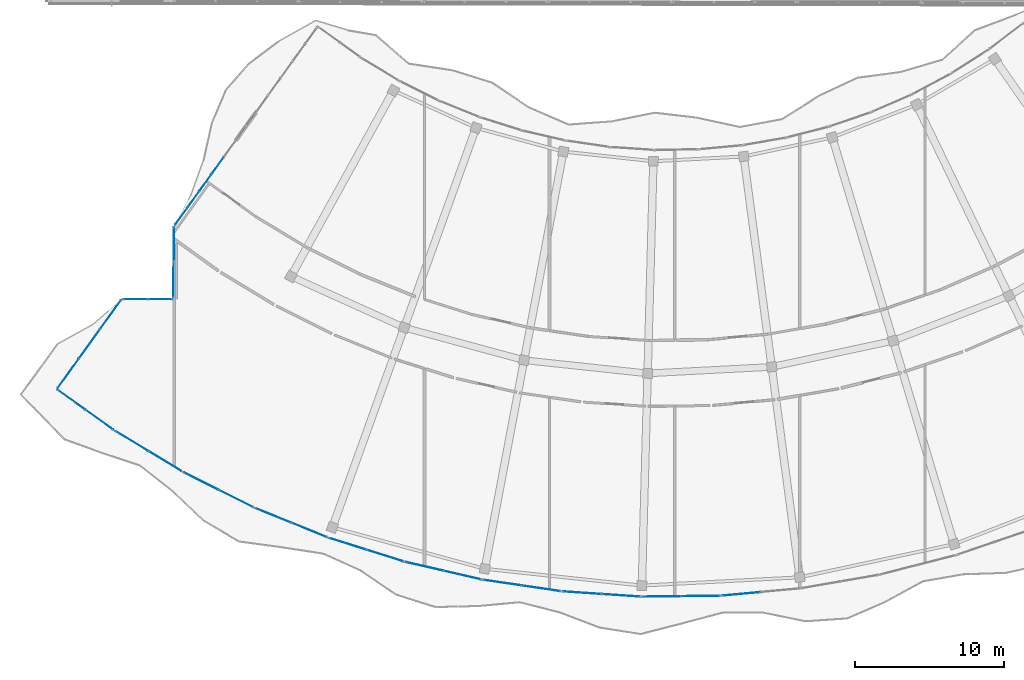
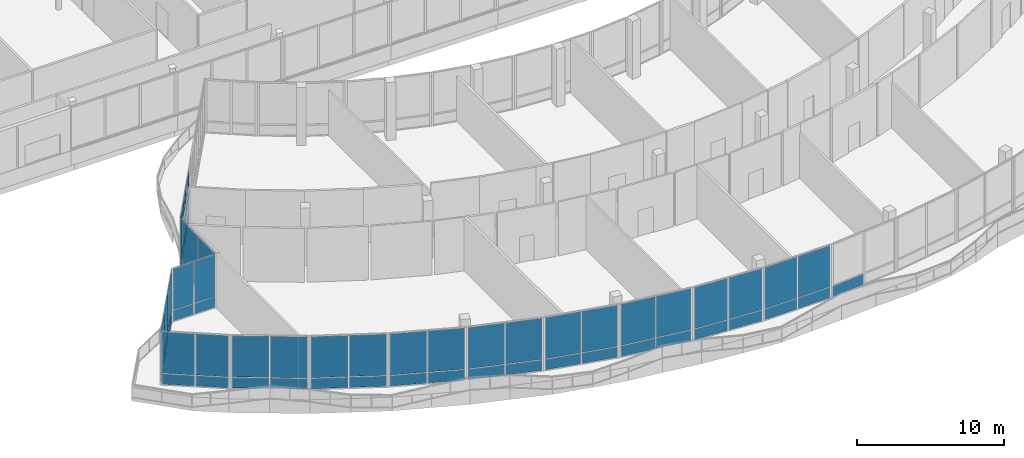
# One storey, part 114 of 155: 63 plates, 14 elements without a shape of their own.
"""IFC4 building model written with IfcOpenShell, lengths in metres."""

from ifc_helpers import new_model, si_unit, direction, frame, origin, origin_2d, place, context, subcontext, project, spatial, rectangle, extrude, material, layer, layer_set, type_object, element, aggregate, save


model = new_model("IFC4")

# Units and contexts
model_context = context("Model", 3, precision=1e-05, world=origin(), true_north=direction((0.0, 1.0)))
body_context = subcontext(model_context, "Body", "Model", "MODEL_VIEW")
ifc_project = project(units=[si_unit("LENGTHUNIT", "METRE"), si_unit("AREAUNIT", "SQUARE_METRE"), si_unit("VOLUMEUNIT", "CUBIC_METRE"), si_unit("PLANEANGLEUNIT", "RADIAN"), si_unit("MASSUNIT", "GRAM", prefix="KILO")], contexts=[model_context])

# Site, building, storey
site_placement = place(None, origin())
site = spatial("IfcSite", under=ifc_project, at=site_placement, CompositionType="ELEMENT")
building_placement = place(site_placement, origin())
building = spatial("IfcBuilding", under=site, at=building_placement, Name="Selatvlak General Hospital", CompositionType="ELEMENT")
storey_placement = place(building_placement, frame((0.0, 0.0, 10.199951171875)))
storey = spatial("IfcBuildingStorey", under=building, at=storey_placement, Name="L02", CompositionType="ELEMENT", Elevation=10.199951171875)

# Curtain wall, plate
ifc_material = material(Name="Solar-control Low-E double glazing", Category="glass")
curtain_wall_type_1 = type_object("IfcCurtainWallType", Name="CW-CW-01", PredefinedType="USERDEFINED", material=ifc_material)
curtain_wall_1_placement = place(storey_placement, origin())
curtain_wall_1 = element("IfcCurtainWall", 1, at=curtain_wall_1_placement, inside=storey, type_object=curtain_wall_type_1, Name="Glazed facade curtain wall CW-L02-0305", ObjectType="UNITISED CURTAIN WALL", PredefinedType="USERDEFINED")
ifc_layer = layer(ifc_material, 0.028076171875, Name="Solar-control Low-E double glazing", Category="glass")
ifc_layer_set = layer_set([ifc_layer], Name="Solar-control Low-E double glazing")
plate_type = type_object("IfcPlateType", Name="CWP-01", PredefinedType="CURTAIN_PANEL", material=ifc_layer_set)
plate_1_placement = place(storey_placement, frame((60.891357421875, 12.217529296875, 0.06494140625), z_axis=(0.0, 0.0, 1.0), x_axis=(-0.995731988381, -0.092291967773, 0.0)))
plate_1 = element("IfcPlate", 2, at=plate_1_placement, type_object=plate_type, Name="CW-01 panel 2.1", PredefinedType="CURTAIN_PANEL", context=body_context, shape_type="SweptSolid", body=[
    extrude(rectangle(XDim=2.54638671875, YDim=0.028076171875, at=origin_2d()), origin(), (0.0, 0.0, 1.0), 0.8525390625),
])
aggregate(curtain_wall_1, [plate_1])

# Curtain wall, plates
curtain_wall_type_2 = type_object("IfcCurtainWallType", Name="CW-CW-02", PredefinedType="USERDEFINED", material=ifc_material)
curtain_wall_2_placement = place(storey_placement, origin())
curtain_wall_2 = element("IfcCurtainWall", 3, at=curtain_wall_2_placement, inside=storey, type_object=curtain_wall_type_2, Name="Glazed facade curtain wall CW-L02-0306", ObjectType="UNITISED CURTAIN WALL", PredefinedType="USERDEFINED")
plate_2_placement = place(storey_placement, frame((58.14111328125, 12.074951171875, 0.06494140625), z_axis=(0.0, 0.0, 1.0), x_axis=(-0.999919712362, -0.012671575694, 0.0)))
plate_2 = element("IfcPlate", 4, at=plate_2_placement, type_object=plate_type, Name="CW-02 panel 1.1", PredefinedType="CURTAIN_PANEL", context=body_context, shape_type="SweptSolid", body=[
    extrude(rectangle(XDim=2.546142578125, YDim=0.028076171875, at=origin_2d()), origin(), (0.0, 0.0, 1.0), 0.8525390625),
])
plate_3_placement = place(storey_placement, frame((58.14111328125, 12.074951171875, 0.982421875), z_axis=(0.0, 0.0, 1.0), x_axis=(-0.999919712362, -0.012671575694, 0.0)))
plate_3 = element("IfcPlate", 5, at=plate_3_placement, type_object=plate_type, Name="CW-02 panel 1.2", PredefinedType="CURTAIN_PANEL", context=body_context, shape_type="SweptSolid", body=[
    extrude(rectangle(XDim=2.546142578125, YDim=0.028076171875, at=origin_2d()), origin(), (0.0, 0.0, 1.0), 3.41259765625),
])
plate_4_placement = place(storey_placement, frame((55.530029296875, 12.0419921875, 0.06494140625), z_axis=(0.0, 0.0, 1.0), x_axis=(-0.999919712362, -0.012671575694, 0.0)))
plate_4 = element("IfcPlate", 6, at=plate_4_placement, type_object=plate_type, Name="CW-02 panel 2.1", PredefinedType="CURTAIN_PANEL", context=body_context, shape_type="SweptSolid", body=[
    extrude(rectangle(XDim=2.546142578125, YDim=0.028076171875, at=origin_2d()), origin(), (0.0, 0.0, 1.0), 0.8525390625),
])
plate_5_placement = place(storey_placement, frame((55.530029296875, 12.0419921875, 0.982421875), z_axis=(0.0, 0.0, 1.0), x_axis=(-0.999919712362, -0.012671575694, 0.0)))
plate_5 = element("IfcPlate", 7, at=plate_5_placement, type_object=plate_type, Name="CW-02 panel 2.2", PredefinedType="CURTAIN_PANEL", context=body_context, shape_type="SweptSolid", body=[
    extrude(rectangle(XDim=2.546142578125, YDim=0.028076171875, at=origin_2d()), origin(), (0.0, 0.0, 1.0), 3.41259765625),
])
aggregate(curtain_wall_2, [plate_2, plate_3, plate_4, plate_5])

curtain_wall_3_placement = place(storey_placement, origin())
curtain_wall_3 = element("IfcCurtainWall", 8, at=curtain_wall_3_placement, inside=storey, type_object=curtain_wall_type_1, Name="Glazed facade curtain wall CW-L02-0307", ObjectType="UNITISED CURTAIN WALL", PredefinedType="USERDEFINED")
plate_6_placement = place(storey_placement, frame((52.77734375, 12.118408203125, 0.06494140625), z_axis=(0.0, 0.0, 1.0), x_axis=(-0.997767543774, 0.066782696801, 0.0)))
plate_6 = element("IfcPlate", 9, at=plate_6_placement, type_object=plate_type, Name="CW-01 panel 1.1", PredefinedType="CURTAIN_PANEL", context=body_context, shape_type="SweptSolid", body=[
    extrude(rectangle(XDim=2.54541015625, YDim=0.028076171875, at=origin_2d()), origin(), (0.0, 0.0, 1.0), 0.8525390625),
])
plate_7_placement = place(storey_placement, frame((52.77734375, 12.118408203125, 0.982421875), z_axis=(0.0, 0.0, 1.0), x_axis=(-0.997767543774, 0.066782696801, 0.0)))
plate_7 = element("IfcPlate", 10, at=plate_7_placement, type_object=plate_type, Name="CW-01 panel 1.2", PredefinedType="CURTAIN_PANEL", context=body_context, shape_type="SweptSolid", body=[
    extrude(rectangle(XDim=2.54541015625, YDim=0.028076171875, at=origin_2d()), origin(), (0.0, 0.0, 1.0), 3.41259765625),
])
plate_8_placement = place(storey_placement, frame((50.172607421875, 12.292724609375, 0.06494140625), z_axis=(0.0, 0.0, 1.0), x_axis=(-0.997767543774, 0.066782696801, 0.0)))
plate_8 = element("IfcPlate", 11, at=plate_8_placement, type_object=plate_type, Name="CW-01 panel 2.1", PredefinedType="CURTAIN_PANEL", context=body_context, shape_type="SweptSolid", body=[
    extrude(rectangle(XDim=2.54541015625, YDim=0.028076171875, at=origin_2d()), origin(), (0.0, 0.0, 1.0), 0.8525390625),
])
plate_9_placement = place(storey_placement, frame((50.172607421875, 12.292724609375, 0.982421875), z_axis=(0.0, 0.0, 1.0), x_axis=(-0.997767543774, 0.066782696801, 0.0)))
plate_9 = element("IfcPlate", 12, at=plate_9_placement, type_object=plate_type, Name="CW-01 panel 2.2", PredefinedType="CURTAIN_PANEL", context=body_context, shape_type="SweptSolid", body=[
    extrude(rectangle(XDim=2.54541015625, YDim=0.028076171875, at=origin_2d()), origin(), (0.0, 0.0, 1.0), 3.41259765625),
])
aggregate(curtain_wall_3, [plate_6, plate_7, plate_8, plate_9])

curtain_wall_4_placement = place(storey_placement, origin())
curtain_wall_4 = element("IfcCurtainWall", 13, at=curtain_wall_4_placement, inside=storey, type_object=curtain_wall_type_2, Name="Glazed facade curtain wall CW-L02-0308", ObjectType="UNITISED CURTAIN WALL", PredefinedType="USERDEFINED")
plate_10_placement = place(storey_placement, frame((47.435302734375, 12.587158203125, 0.06494140625), z_axis=(0.0, 0.0, 1.0), x_axis=(-0.989307819732, 0.145842510319, 0.0)))
plate_10 = element("IfcPlate", 14, at=plate_10_placement, type_object=plate_type, Name="CW-02 panel 1.1", PredefinedType="CURTAIN_PANEL", context=body_context, shape_type="SweptSolid", body=[
    extrude(rectangle(XDim=2.545654296875, YDim=0.028076171875, at=origin_2d()), origin(), (0.0, 0.0, 1.0), 0.8525390625),
])
plate_11_placement = place(storey_placement, frame((47.435302734375, 12.587158203125, 0.982421875), z_axis=(0.0, 0.0, 1.0), x_axis=(-0.989307819732, 0.145842510319, 0.0)))
plate_11 = element("IfcPlate", 15, at=plate_11_placement, type_object=plate_type, Name="CW-02 panel 1.2", PredefinedType="CURTAIN_PANEL", context=body_context, shape_type="SweptSolid", body=[
    extrude(rectangle(XDim=2.545654296875, YDim=0.028076171875, at=origin_2d()), origin(), (0.0, 0.0, 1.0), 3.41259765625),
])
plate_12_placement = place(storey_placement, frame((44.8525390625, 12.9677734375, 0.06494140625), z_axis=(0.0, 0.0, 1.0), x_axis=(-0.989307819732, 0.145842510319, 0.0)))
plate_12 = element("IfcPlate", 16, at=plate_12_placement, type_object=plate_type, Name="CW-02 panel 2.1", PredefinedType="CURTAIN_PANEL", context=body_context, shape_type="SweptSolid", body=[
    extrude(rectangle(XDim=2.545654296875, YDim=0.028076171875, at=origin_2d()), origin(), (0.0, 0.0, 1.0), 0.8525390625),
])
plate_13_placement = place(storey_placement, frame((44.8525390625, 12.9677734375, 0.982421875), z_axis=(0.0, 0.0, 1.0), x_axis=(-0.989307819732, 0.145842510319, 0.0)))
plate_13 = element("IfcPlate", 17, at=plate_13_placement, type_object=plate_type, Name="CW-02 panel 2.2", PredefinedType="CURTAIN_PANEL", context=body_context, shape_type="SweptSolid", body=[
    extrude(rectangle(XDim=2.545654296875, YDim=0.028076171875, at=origin_2d()), origin(), (0.0, 0.0, 1.0), 3.41259765625),
])
aggregate(curtain_wall_4, [plate_10, plate_11, plate_12, plate_13])

curtain_wall_5_placement = place(storey_placement, origin())
curtain_wall_5 = element("IfcCurtainWall", 18, at=curtain_wall_5_placement, inside=storey, type_object=curtain_wall_type_1, Name="Glazed facade curtain wall CW-L02-0309", ObjectType="UNITISED CURTAIN WALL", PredefinedType="USERDEFINED")
plate_14_placement = place(storey_placement, frame((42.146240234375, 13.47900390625, 0.06494140625), z_axis=(0.0, 0.0, 1.0), x_axis=(-0.974553533749, 0.224154879176, 0.0)))
plate_14 = element("IfcPlate", 19, at=plate_14_placement, type_object=plate_type, Name="CW-01 panel 1.1", PredefinedType="CURTAIN_PANEL", context=body_context, shape_type="SweptSolid", body=[
    extrude(rectangle(XDim=2.545654296875, YDim=0.028076171875, at=origin_2d()), origin(), (0.0, 0.0, 1.0), 0.8525390625),
])
plate_15_placement = place(storey_placement, frame((42.146240234375, 13.47900390625, 0.982421875), z_axis=(0.0, 0.0, 1.0), x_axis=(-0.974553533749, 0.224154879176, 0.0)))
plate_15 = element("IfcPlate", 20, at=plate_15_placement, type_object=plate_type, Name="CW-01 panel 1.2", PredefinedType="CURTAIN_PANEL", context=body_context, shape_type="SweptSolid", body=[
    extrude(rectangle(XDim=2.545654296875, YDim=0.028076171875, at=origin_2d()), origin(), (0.0, 0.0, 1.0), 3.41259765625),
])
plate_16_placement = place(storey_placement, frame((39.601806640625, 14.064208984375, 0.06494140625), z_axis=(0.0, 0.0, 1.0), x_axis=(-0.974553533749, 0.224154879176, 0.0)))
plate_16 = element("IfcPlate", 21, at=plate_16_placement, type_object=plate_type, Name="CW-01 panel 2.1", PredefinedType="CURTAIN_PANEL", context=body_context, shape_type="SweptSolid", body=[
    extrude(rectangle(XDim=2.545654296875, YDim=0.028076171875, at=origin_2d()), origin(), (0.0, 0.0, 1.0), 0.8525390625),
])
plate_17_placement = place(storey_placement, frame((39.601806640625, 14.064208984375, 0.982421875), z_axis=(0.0, 0.0, 1.0), x_axis=(-0.974553533749, 0.224154879176, 0.0)))
plate_17 = element("IfcPlate", 22, at=plate_17_placement, type_object=plate_type, Name="CW-01 panel 2.2", PredefinedType="CURTAIN_PANEL", context=body_context, shape_type="SweptSolid", body=[
    extrude(rectangle(XDim=2.545654296875, YDim=0.028076171875, at=origin_2d()), origin(), (0.0, 0.0, 1.0), 3.41259765625),
])
aggregate(curtain_wall_5, [plate_14, plate_15, plate_16, plate_17])

curtain_wall_6_placement = place(storey_placement, origin())
curtain_wall_6 = element("IfcCurtainWall", 23, at=curtain_wall_6_placement, inside=storey, type_object=curtain_wall_type_2, Name="Glazed facade curtain wall CW-L02-0310", ObjectType="UNITISED CURTAIN WALL", PredefinedType="USERDEFINED")
plate_18_placement = place(storey_placement, frame((36.9453125, 14.788818359375, 0.06494140625), z_axis=(0.0, 0.0, 1.0), x_axis=(-0.953794036858, 0.30046120424, 0.0)))
plate_18 = element("IfcPlate", 24, at=plate_18_placement, type_object=plate_type, Name="CW-02 panel 1.1", PredefinedType="CURTAIN_PANEL", context=body_context, shape_type="SweptSolid", body=[
    extrude(rectangle(XDim=2.545166015625, YDim=0.028076171875, at=origin_2d()), origin(), (0.0, 0.0, 1.0), 0.8525390625),
])
plate_19_placement = place(storey_placement, frame((36.9453125, 14.788818359375, 0.982421875), z_axis=(0.0, 0.0, 1.0), x_axis=(-0.953794036858, 0.30046120424, 0.0)))
plate_19 = element("IfcPlate", 25, at=plate_19_placement, type_object=plate_type, Name="CW-02 panel 1.2", PredefinedType="CURTAIN_PANEL", context=body_context, shape_type="SweptSolid", body=[
    extrude(rectangle(XDim=2.545166015625, YDim=0.028076171875, at=origin_2d()), origin(), (0.0, 0.0, 1.0), 3.41259765625),
])
plate_20_placement = place(storey_placement, frame((34.455810546875, 15.572998046875, 0.06494140625), z_axis=(0.0, 0.0, 1.0), x_axis=(-0.953794036858, 0.30046120424, 0.0)))
plate_20 = element("IfcPlate", 26, at=plate_20_placement, type_object=plate_type, Name="CW-02 panel 2.1", PredefinedType="CURTAIN_PANEL", context=body_context, shape_type="SweptSolid", body=[
    extrude(rectangle(XDim=2.545166015625, YDim=0.028076171875, at=origin_2d()), origin(), (0.0, 0.0, 1.0), 0.8525390625),
])
plate_21_placement = place(storey_placement, frame((34.455810546875, 15.572998046875, 0.982421875), z_axis=(0.0, 0.0, 1.0), x_axis=(-0.953794036858, 0.30046120424, 0.0)))
plate_21 = element("IfcPlate", 27, at=plate_21_placement, type_object=plate_type, Name="CW-02 panel 2.2", PredefinedType="CURTAIN_PANEL", context=body_context, shape_type="SweptSolid", body=[
    extrude(rectangle(XDim=2.545166015625, YDim=0.028076171875, at=origin_2d()), origin(), (0.0, 0.0, 1.0), 3.41259765625),
])
aggregate(curtain_wall_6, [plate_18, plate_19, plate_20, plate_21])

curtain_wall_7_placement = place(storey_placement, origin())
curtain_wall_7 = element("IfcCurtainWall", 28, at=curtain_wall_7_placement, inside=storey, type_object=curtain_wall_type_1, Name="Glazed facade curtain wall CW-L02-0311", ObjectType="UNITISED CURTAIN WALL", PredefinedType="USERDEFINED")
plate_22_placement = place(storey_placement, frame((31.865966796875, 16.507080078125, 0.06494140625), z_axis=(0.0, 0.0, 1.0), x_axis=(-0.926902948145, 0.375301112069, 0.0)))
plate_22 = element("IfcPlate", 29, at=plate_22_placement, type_object=plate_type, Name="CW-01 panel 1.1", PredefinedType="CURTAIN_PANEL", context=body_context, shape_type="SweptSolid", body=[
    extrude(rectangle(XDim=2.545654296875, YDim=0.028076171875, at=origin_2d()), origin(), (0.0, 0.0, 1.0), 0.8525390625),
])
plate_23_placement = place(storey_placement, frame((31.865966796875, 16.507080078125, 0.982421875), z_axis=(0.0, 0.0, 1.0), x_axis=(-0.926902948145, 0.375301112069, 0.0)))
plate_23 = element("IfcPlate", 30, at=plate_23_placement, type_object=plate_type, Name="CW-01 panel 1.2", PredefinedType="CURTAIN_PANEL", context=body_context, shape_type="SweptSolid", body=[
    extrude(rectangle(XDim=2.545654296875, YDim=0.028076171875, at=origin_2d()), origin(), (0.0, 0.0, 1.0), 3.41259765625),
])
plate_24_placement = place(storey_placement, frame((29.446044921875, 17.48681640625, 0.06494140625), z_axis=(0.0, 0.0, 1.0), x_axis=(-0.926902948145, 0.375301112069, 0.0)))
plate_24 = element("IfcPlate", 31, at=plate_24_placement, type_object=plate_type, Name="CW-01 panel 2.1", PredefinedType="CURTAIN_PANEL", context=body_context, shape_type="SweptSolid", body=[
    extrude(rectangle(XDim=2.545654296875, YDim=0.028076171875, at=origin_2d()), origin(), (0.0, 0.0, 1.0), 0.8525390625),
])
plate_25_placement = place(storey_placement, frame((29.446044921875, 17.48681640625, 0.982421875), z_axis=(0.0, 0.0, 1.0), x_axis=(-0.926902948145, 0.375301112069, 0.0)))
plate_25 = element("IfcPlate", 32, at=plate_25_placement, type_object=plate_type, Name="CW-01 panel 2.2", PredefinedType="CURTAIN_PANEL", context=body_context, shape_type="SweptSolid", body=[
    extrude(rectangle(XDim=2.545654296875, YDim=0.028076171875, at=origin_2d()), origin(), (0.0, 0.0, 1.0), 3.41259765625),
])
aggregate(curtain_wall_7, [plate_22, plate_23, plate_24, plate_25])

curtain_wall_8_placement = place(storey_placement, origin())
curtain_wall_8 = element("IfcCurtainWall", 33, at=curtain_wall_8_placement, inside=storey, type_object=curtain_wall_type_2, Name="Glazed facade curtain wall CW-L02-0312", ObjectType="UNITISED CURTAIN WALL", PredefinedType="USERDEFINED")
plate_26_placement = place(storey_placement, frame((26.937744140625, 18.622802734375, 0.06494140625), z_axis=(0.0, 0.0, 1.0), x_axis=(-0.894237934345, 0.44759190875, 0.0)))
plate_26 = element("IfcPlate", 34, at=plate_26_placement, type_object=plate_type, Name="CW-02 panel 1.1", PredefinedType="CURTAIN_PANEL", context=body_context, shape_type="SweptSolid", body=[
    extrude(rectangle(XDim=2.545654296875, YDim=0.028076171875, at=origin_2d()), origin(), (0.0, 0.0, 1.0), 0.8525390625),
])
plate_27_placement = place(storey_placement, frame((26.937744140625, 18.622802734375, 0.982421875), z_axis=(0.0, 0.0, 1.0), x_axis=(-0.894237934345, 0.44759190875, 0.0)))
plate_27 = element("IfcPlate", 35, at=plate_27_placement, type_object=plate_type, Name="CW-02 panel 1.2", PredefinedType="CURTAIN_PANEL", context=body_context, shape_type="SweptSolid", body=[
    extrude(rectangle(XDim=2.545654296875, YDim=0.028076171875, at=origin_2d()), origin(), (0.0, 0.0, 1.0), 3.41259765625),
])
plate_28_placement = place(storey_placement, frame((24.603271484375, 19.791259765625, 0.06494140625), z_axis=(0.0, 0.0, 1.0), x_axis=(-0.894237934345, 0.44759190875, 0.0)))
plate_28 = element("IfcPlate", 36, at=plate_28_placement, type_object=plate_type, Name="CW-02 panel 2.1", PredefinedType="CURTAIN_PANEL", context=body_context, shape_type="SweptSolid", body=[
    extrude(rectangle(XDim=2.545654296875, YDim=0.028076171875, at=origin_2d()), origin(), (0.0, 0.0, 1.0), 0.8525390625),
])
plate_29_placement = place(storey_placement, frame((24.603271484375, 19.791259765625, 0.982421875), z_axis=(0.0, 0.0, 1.0), x_axis=(-0.894237934345, 0.44759190875, 0.0)))
plate_29 = element("IfcPlate", 37, at=plate_29_placement, type_object=plate_type, Name="CW-02 panel 2.2", PredefinedType="CURTAIN_PANEL", context=body_context, shape_type="SweptSolid", body=[
    extrude(rectangle(XDim=2.545654296875, YDim=0.028076171875, at=origin_2d()), origin(), (0.0, 0.0, 1.0), 3.41259765625),
])
aggregate(curtain_wall_8, [plate_26, plate_27, plate_28, plate_29])

curtain_wall_9_placement = place(storey_placement, origin())
curtain_wall_9 = element("IfcCurtainWall", 38, at=curtain_wall_9_placement, inside=storey, type_object=curtain_wall_type_1, Name="Glazed facade curtain wall CW-L02-0313", ObjectType="UNITISED CURTAIN WALL", PredefinedType="USERDEFINED")
plate_30_placement = place(storey_placement, frame((22.19287109375, 21.123291015625, 0.06494140625), z_axis=(0.0, 0.0, 1.0), x_axis=(-0.855735878163, 0.517412897815, 0.0)))
plate_30 = element("IfcPlate", 39, at=plate_30_placement, type_object=plate_type, Name="CW-01 panel 1.1", PredefinedType="CURTAIN_PANEL", context=body_context, shape_type="SweptSolid", body=[
    extrude(rectangle(XDim=2.54638671875, YDim=0.028076171875, at=origin_2d()), origin(), (0.0, 0.0, 1.0), 0.8525390625),
])
plate_31_placement = place(storey_placement, frame((22.19287109375, 21.123291015625, 0.982421875), z_axis=(0.0, 0.0, 1.0), x_axis=(-0.855735878163, 0.517412897815, 0.0)))
plate_31 = element("IfcPlate", 40, at=plate_31_placement, type_object=plate_type, Name="CW-01 panel 1.2", PredefinedType="CURTAIN_PANEL", context=body_context, shape_type="SweptSolid", body=[
    extrude(rectangle(XDim=2.54638671875, YDim=0.028076171875, at=origin_2d()), origin(), (0.0, 0.0, 1.0), 3.41259765625),
])
plate_32_placement = place(storey_placement, frame((19.958251953125, 22.474609375, 0.06494140625), z_axis=(0.0, 0.0, 1.0), x_axis=(-0.855735878163, 0.517412897815, 0.0)))
plate_32 = element("IfcPlate", 41, at=plate_32_placement, type_object=plate_type, Name="CW-01 panel 2.1", PredefinedType="CURTAIN_PANEL", context=body_context, shape_type="SweptSolid", body=[
    extrude(rectangle(XDim=2.54638671875, YDim=0.028076171875, at=origin_2d()), origin(), (0.0, 0.0, 1.0), 0.8525390625),
])
plate_33_placement = place(storey_placement, frame((19.958251953125, 22.474609375, 0.982421875), z_axis=(0.0, 0.0, 1.0), x_axis=(-0.855735878163, 0.517412897815, 0.0)))
plate_33 = element("IfcPlate", 42, at=plate_33_placement, type_object=plate_type, Name="CW-01 panel 2.2", PredefinedType="CURTAIN_PANEL", context=body_context, shape_type="SweptSolid", body=[
    extrude(rectangle(XDim=2.54638671875, YDim=0.028076171875, at=origin_2d()), origin(), (0.0, 0.0, 1.0), 3.41259765625),
])
aggregate(curtain_wall_9, [plate_30, plate_31, plate_32, plate_33])

curtain_wall_10_placement = place(storey_placement, origin())
curtain_wall_10 = element("IfcCurtainWall", 43, at=curtain_wall_10_placement, inside=storey, type_object=curtain_wall_type_2, Name="Glazed facade curtain wall CW-L02-0314", ObjectType="UNITISED CURTAIN WALL", PredefinedType="USERDEFINED")
plate_34_placement = place(storey_placement, frame((17.780029296875, 23.90478515625, 0.06494140625), z_axis=(0.0, 0.0, 1.0), x_axis=(-0.813329937847, 0.581802726189, 0.0)))
plate_34 = element("IfcPlate", 44, at=plate_34_placement, type_object=plate_type, Name="CW-02 panel 1.1", PredefinedType="CURTAIN_PANEL", context=body_context, shape_type="SweptSolid", body=[
    extrude(rectangle(XDim=2.247802734375, YDim=0.028076171875, at=origin_2d()), origin(), (0.0, 0.0, 1.0), 0.8525390625),
])
plate_35_placement = place(storey_placement, frame((17.780029296875, 23.90478515625, 0.982421875), z_axis=(0.0, 0.0, 1.0), x_axis=(-0.813329937847, 0.581802726189, 0.0)))
plate_35 = element("IfcPlate", 45, at=plate_35_placement, type_object=plate_type, Name="CW-02 panel 1.2", PredefinedType="CURTAIN_PANEL", context=body_context, shape_type="SweptSolid", body=[
    extrude(rectangle(XDim=2.247802734375, YDim=0.028076171875, at=origin_2d()), origin(), (0.0, 0.0, 1.0), 3.41259765625),
])
plate_36_placement = place(storey_placement, frame((15.89892578125, 25.250244140625, 0.06494140625), z_axis=(0.0, 0.0, 1.0), x_axis=(-0.813329937847, 0.581802726189, 0.0)))
plate_36 = element("IfcPlate", 46, at=plate_36_placement, type_object=plate_type, Name="CW-02 panel 2.1", PredefinedType="CURTAIN_PANEL", context=body_context, shape_type="SweptSolid", body=[
    extrude(rectangle(XDim=2.247802734375, YDim=0.028076171875, at=origin_2d()), origin(), (0.0, 0.0, 1.0), 0.8525390625),
])
plate_37_placement = place(storey_placement, frame((15.89892578125, 25.250244140625, 0.982421875), z_axis=(0.0, 0.0, 1.0), x_axis=(-0.813329937847, 0.581802726189, 0.0)))
plate_37 = element("IfcPlate", 47, at=plate_37_placement, type_object=plate_type, Name="CW-02 panel 2.2", PredefinedType="CURTAIN_PANEL", context=body_context, shape_type="SweptSolid", body=[
    extrude(rectangle(XDim=2.247802734375, YDim=0.028076171875, at=origin_2d()), origin(), (0.0, 0.0, 1.0), 3.41259765625),
])
aggregate(curtain_wall_10, [plate_34, plate_35, plate_36, plate_37])

curtain_wall_11_placement = place(storey_placement, origin())
curtain_wall_11 = element("IfcCurtainWall", 48, at=curtain_wall_11_placement, inside=storey, type_object=curtain_wall_type_1, Name="Glazed facade curtain wall CW-L02-0315", ObjectType="UNITISED CURTAIN WALL", PredefinedType="USERDEFINED")
plate_38_placement = place(storey_placement, frame((15.6845703125, 27.014404296875, 0.06494140625), z_axis=(0.0, 0.0, 1.0), x_axis=(0.583789827411, 0.811904820414, 0.0)))
plate_38 = element("IfcPlate", 49, at=plate_38_placement, type_object=plate_type, Name="CW-01 panel 1.1", PredefinedType="CURTAIN_PANEL", context=body_context, shape_type="SweptSolid", body=[
    extrude(rectangle(XDim=2.35888671875, YDim=0.028076171875, at=origin_2d()), origin(), (0.0, 0.0, 1.0), 0.8525390625),
])
plate_39_placement = place(storey_placement, frame((15.6845703125, 27.014404296875, 0.982421875), z_axis=(0.0, 0.0, 1.0), x_axis=(0.583789827411, 0.811904820414, 0.0)))
plate_39 = element("IfcPlate", 50, at=plate_39_placement, type_object=plate_type, Name="CW-01 panel 1.2", PredefinedType="CURTAIN_PANEL", context=body_context, shape_type="SweptSolid", body=[
    extrude(rectangle(XDim=2.35888671875, YDim=0.028076171875, at=origin_2d()), origin(), (0.0, 0.0, 1.0), 3.41259765625),
])
plate_40_placement = place(storey_placement, frame((17.10888671875, 28.99560546875, 0.06494140625), z_axis=(0.0, 0.0, 1.0), x_axis=(0.583789827411, 0.811904820414, 0.0)))
plate_40 = element("IfcPlate", 51, at=plate_40_placement, type_object=plate_type, Name="CW-01 panel 2.1", PredefinedType="CURTAIN_PANEL", context=body_context, shape_type="SweptSolid", body=[
    extrude(rectangle(XDim=2.391357421875, YDim=0.028076171875, at=origin_2d()), origin(), (0.0, 0.0, 1.0), 0.8525390625),
])
plate_41_placement = place(storey_placement, frame((17.10888671875, 28.99560546875, 0.982421875), z_axis=(0.0, 0.0, 1.0), x_axis=(0.583789827411, 0.811904820414, 0.0)))
plate_41 = element("IfcPlate", 52, at=plate_41_placement, type_object=plate_type, Name="CW-01 panel 2.2", PredefinedType="CURTAIN_PANEL", context=body_context, shape_type="SweptSolid", body=[
    extrude(rectangle(XDim=2.391357421875, YDim=0.028076171875, at=origin_2d()), origin(), (0.0, 0.0, 1.0), 3.41259765625),
])
plate_42_placement = place(storey_placement, frame((18.533447265625, 30.9765625, 0.06494140625), z_axis=(0.0, 0.0, 1.0), x_axis=(0.583789827411, 0.811904820414, 0.0)))
plate_42 = element("IfcPlate", 53, at=plate_42_placement, type_object=plate_type, Name="CW-01 panel 3.1", PredefinedType="CURTAIN_PANEL", context=body_context, shape_type="SweptSolid", body=[
    extrude(rectangle(XDim=2.35888671875, YDim=0.028076171875, at=origin_2d()), origin(), (0.0, 0.0, 1.0), 0.8525390625),
])
plate_43_placement = place(storey_placement, frame((18.533447265625, 30.9765625, 0.982421875), z_axis=(0.0, 0.0, 1.0), x_axis=(0.583789827411, 0.811904820414, 0.0)))
plate_43 = element("IfcPlate", 54, at=plate_43_placement, type_object=plate_type, Name="CW-01 panel 3.2", PredefinedType="CURTAIN_PANEL", context=body_context, shape_type="SweptSolid", body=[
    extrude(rectangle(XDim=2.35888671875, YDim=0.028076171875, at=origin_2d()), origin(), (0.0, 0.0, 1.0), 3.41259765625),
])
aggregate(curtain_wall_11, [plate_38, plate_39, plate_40, plate_41, plate_42, plate_43])

curtain_wall_12_placement = place(storey_placement, origin())
curtain_wall_12 = element("IfcCurtainWall", 55, at=curtain_wall_12_placement, inside=storey, type_object=curtain_wall_type_2, Name="Glazed facade curtain wall CW-L02-0316", ObjectType="UNITISED CURTAIN WALL", PredefinedType="USERDEFINED")
plate_44_placement = place(storey_placement, frame((20.197998046875, 31.999267578125, 0.06494140625), z_axis=(0.0, 0.0, 1.0), x_axis=(0.999999956518, 0.000294898244, 0.0)))
plate_44 = element("IfcPlate", 56, at=plate_44_placement, type_object=plate_type, Name="CW-02 panel 1.1", PredefinedType="CURTAIN_PANEL", context=body_context, shape_type="SweptSolid", body=[
    extrude(rectangle(XDim=1.597900390625, YDim=0.028076171875, at=origin_2d()), origin(), (0.0, 0.0, 1.0), 0.8525390625),
])
plate_45_placement = place(storey_placement, frame((20.197998046875, 31.999267578125, 0.982421875), z_axis=(0.0, 0.0, 1.0), x_axis=(0.999999956518, 0.000294898244, 0.0)))
plate_45 = element("IfcPlate", 57, at=plate_45_placement, type_object=plate_type, Name="CW-02 panel 1.2", PredefinedType="CURTAIN_PANEL", context=body_context, shape_type="SweptSolid", body=[
    extrude(rectangle(XDim=1.597900390625, YDim=0.028076171875, at=origin_2d()), origin(), (0.0, 0.0, 1.0), 3.41259765625),
])
plate_46_placement = place(storey_placement, frame((21.861083984375, 31.999755859375, 0.06494140625), z_axis=(0.0, 0.0, 1.0), x_axis=(0.999999956518, 0.000294898244, 0.0)))
plate_46 = element("IfcPlate", 58, at=plate_46_placement, type_object=plate_type, Name="CW-02 panel 2.1", PredefinedType="CURTAIN_PANEL", context=body_context, shape_type="SweptSolid", body=[
    extrude(rectangle(XDim=1.597900390625, YDim=0.028076171875, at=origin_2d()), origin(), (0.0, 0.0, 1.0), 0.8525390625),
])
plate_47_placement = place(storey_placement, frame((21.861083984375, 31.999755859375, 0.982421875), z_axis=(0.0, 0.0, 1.0), x_axis=(0.999999956518, 0.000294898244, 0.0)))
plate_47 = element("IfcPlate", 59, at=plate_47_placement, type_object=plate_type, Name="CW-02 panel 2.2", PredefinedType="CURTAIN_PANEL", context=body_context, shape_type="SweptSolid", body=[
    extrude(rectangle(XDim=1.597900390625, YDim=0.028076171875, at=origin_2d()), origin(), (0.0, 0.0, 1.0), 3.41259765625),
])
aggregate(curtain_wall_12, [plate_44, plate_45, plate_46, plate_47])

curtain_wall_13_placement = place(storey_placement, origin())
curtain_wall_13 = element("IfcCurtainWall", 60, at=curtain_wall_13_placement, inside=storey, type_object=curtain_wall_type_1, Name="Glazed facade curtain wall CW-L02-0317", ObjectType="UNITISED CURTAIN WALL", PredefinedType="USERDEFINED")
plate_48_placement = place(storey_placement, frame((22.755859375, 33.2880859375, 0.06494140625), z_axis=(0.0, 0.0, 1.0), x_axis=(0.012221999835, 0.999925308571, 0.0)))
plate_48 = element("IfcPlate", 61, at=plate_48_placement, type_object=plate_type, Name="CW-01 panel 1.1", PredefinedType="CURTAIN_PANEL", context=body_context, shape_type="SweptSolid", body=[
    extrude(rectangle(XDim=2.316162109375, YDim=0.028076171875, at=origin_2d()), origin(), (0.0, 0.0, 1.0), 0.8525390625),
])
plate_49_placement = place(storey_placement, frame((22.755859375, 33.2880859375, 0.982421875), z_axis=(0.0, 0.0, 1.0), x_axis=(0.012221999835, 0.999925308571, 0.0)))
plate_49 = element("IfcPlate", 62, at=plate_49_placement, type_object=plate_type, Name="CW-01 panel 1.2", PredefinedType="CURTAIN_PANEL", context=body_context, shape_type="SweptSolid", body=[
    extrude(rectangle(XDim=2.316162109375, YDim=0.028076171875, at=origin_2d()), origin(), (0.0, 0.0, 1.0), 3.41259765625),
])
plate_50_placement = place(storey_placement, frame((22.78515625, 35.6689453125, 0.06494140625), z_axis=(0.0, 0.0, 1.0), x_axis=(0.012221999835, 0.999925308571, 0.0)))
plate_50 = element("IfcPlate", 63, at=plate_50_placement, type_object=plate_type, Name="CW-01 panel 2.1", PredefinedType="CURTAIN_PANEL", context=body_context, shape_type="SweptSolid", body=[
    extrude(rectangle(XDim=2.316162109375, YDim=0.028076171875, at=origin_2d()), origin(), (0.0, 0.0, 1.0), 0.8525390625),
])
plate_51_placement = place(storey_placement, frame((22.78515625, 35.6689453125, 0.982421875), z_axis=(0.0, 0.0, 1.0), x_axis=(0.012221999835, 0.999925308571, 0.0)))
plate_51 = element("IfcPlate", 64, at=plate_51_placement, type_object=plate_type, Name="CW-01 panel 2.2", PredefinedType="CURTAIN_PANEL", context=body_context, shape_type="SweptSolid", body=[
    extrude(rectangle(XDim=2.316162109375, YDim=0.028076171875, at=origin_2d()), origin(), (0.0, 0.0, 1.0), 3.41259765625),
])
aggregate(curtain_wall_13, [plate_48, plate_49, plate_50, plate_51])

curtain_wall_14_placement = place(storey_placement, origin())
curtain_wall_14 = element("IfcCurtainWall", 65, at=curtain_wall_14_placement, inside=storey, type_object=curtain_wall_type_1, Name="Glazed facade curtain wall CW-L02-0319", ObjectType="UNITISED CURTAIN WALL", PredefinedType="USERDEFINED")
plate_52_placement = place(storey_placement, frame((23.257568359375, 37.543212890625, 0.06494140625), z_axis=(0.0, 0.0, 1.0), x_axis=(0.583929474196, 0.81180439095, 0.0)))
plate_52 = element("IfcPlate", 66, at=plate_52_placement, type_object=plate_type, Name="CW-01 panel 1.1", PredefinedType="CURTAIN_PANEL", context=body_context, shape_type="SweptSolid", body=[
    extrude(rectangle(XDim=1.306884765625, YDim=0.028076171875, at=origin_2d()), origin(), (0.0, 0.0, 1.0), 0.802490234375),
])
plate_53_placement = place(storey_placement, frame((23.257568359375, 37.543212890625, 0.9326171875), z_axis=(0.0, 0.0, 1.0), x_axis=(0.583929474196, 0.81180439095, 0.0)))
plate_53 = element("IfcPlate", 67, at=plate_53_placement, type_object=plate_type, Name="CW-01 panel 1.2", PredefinedType="CURTAIN_PANEL", context=body_context, shape_type="SweptSolid", body=[
    extrude(rectangle(XDim=1.306884765625, YDim=0.028076171875, at=origin_2d()), origin(), (0.0, 0.0, 1.0), 2.844970703125),
])
plate_54_placement = place(storey_placement, frame((23.257568359375, 37.543212890625, 3.8427734375), z_axis=(0.0, 0.0, 1.0), x_axis=(0.583929474196, 0.81180439095, 0.0)))
plate_54 = element("IfcPlate", 68, at=plate_54_placement, type_object=plate_type, Name="CW-01 panel 1.3", PredefinedType="CURTAIN_PANEL", context=body_context, shape_type="SweptSolid", body=[
    extrude(rectangle(XDim=1.306884765625, YDim=0.028076171875, at=origin_2d()), origin(), (0.0, 0.0, 1.0), 0.552490234375),
])
plate_55_placement = place(storey_placement, frame((24.068115234375, 38.669921875, 0.06494140625), z_axis=(0.0, 0.0, 1.0), x_axis=(0.583929474196, 0.81180439095, 0.0)))
plate_55 = element("IfcPlate", 69, at=plate_55_placement, type_object=plate_type, Name="CW-01 panel 2.1", PredefinedType="CURTAIN_PANEL", context=body_context, shape_type="SweptSolid", body=[
    extrude(rectangle(XDim=1.33935546875, YDim=0.028076171875, at=origin_2d()), origin(), (0.0, 0.0, 1.0), 0.802490234375),
])
plate_56_placement = place(storey_placement, frame((24.068115234375, 38.669921875, 0.9326171875), z_axis=(0.0, 0.0, 1.0), x_axis=(0.583929474196, 0.81180439095, 0.0)))
plate_56 = element("IfcPlate", 70, at=plate_56_placement, type_object=plate_type, Name="CW-01 panel 2.2", PredefinedType="CURTAIN_PANEL", context=body_context, shape_type="SweptSolid", body=[
    extrude(rectangle(XDim=1.33935546875, YDim=0.028076171875, at=origin_2d()), origin(), (0.0, 0.0, 1.0), 2.844970703125),
])
plate_57_placement = place(storey_placement, frame((24.068115234375, 38.669921875, 3.8427734375), z_axis=(0.0, 0.0, 1.0), x_axis=(0.583929474196, 0.81180439095, 0.0)))
plate_57 = element("IfcPlate", 71, at=plate_57_placement, type_object=plate_type, Name="CW-01 panel 2.3", PredefinedType="CURTAIN_PANEL", context=body_context, shape_type="SweptSolid", body=[
    extrude(rectangle(XDim=1.33935546875, YDim=0.028076171875, at=origin_2d()), origin(), (0.0, 0.0, 1.0), 0.552490234375),
])
plate_58_placement = place(storey_placement, frame((24.887939453125, 39.81005859375, 0.06494140625), z_axis=(0.0, 0.0, 1.0), x_axis=(0.583929474196, 0.81180439095, 0.0)))
plate_58 = element("IfcPlate", 72, at=plate_58_placement, type_object=plate_type, Name="CW-01 panel 3.1", PredefinedType="CURTAIN_PANEL", context=body_context, shape_type="SweptSolid", body=[
    extrude(rectangle(XDim=1.33935546875, YDim=0.028076171875, at=origin_2d()), origin(), (0.0, 0.0, 1.0), 0.802490234375),
])
plate_59_placement = place(storey_placement, frame((24.887939453125, 39.81005859375, 0.9326171875), z_axis=(0.0, 0.0, 1.0), x_axis=(0.583929474196, 0.81180439095, 0.0)))
plate_59 = element("IfcPlate", 73, at=plate_59_placement, type_object=plate_type, Name="CW-01 panel 3.2", PredefinedType="CURTAIN_PANEL", context=body_context, shape_type="SweptSolid", body=[
    extrude(rectangle(XDim=1.33935546875, YDim=0.028076171875, at=origin_2d()), origin(), (0.0, 0.0, 1.0), 2.844970703125),
])
plate_60_placement = place(storey_placement, frame((24.887939453125, 39.81005859375, 3.8427734375), z_axis=(0.0, 0.0, 1.0), x_axis=(0.583929474196, 0.81180439095, 0.0)))
plate_60 = element("IfcPlate", 74, at=plate_60_placement, type_object=plate_type, Name="CW-01 panel 3.3", PredefinedType="CURTAIN_PANEL", context=body_context, shape_type="SweptSolid", body=[
    extrude(rectangle(XDim=1.33935546875, YDim=0.028076171875, at=origin_2d()), origin(), (0.0, 0.0, 1.0), 0.552490234375),
])
plate_61_placement = place(storey_placement, frame((25.7080078125, 40.949951171875, 0.06494140625), z_axis=(0.0, 0.0, 1.0), x_axis=(0.583929474196, 0.81180439095, 0.0)))
plate_61 = element("IfcPlate", 75, at=plate_61_placement, type_object=plate_type, Name="CW-01 panel 4.1", PredefinedType="CURTAIN_PANEL", context=body_context, shape_type="SweptSolid", body=[
    extrude(rectangle(XDim=1.33935546875, YDim=0.028076171875, at=origin_2d()), origin(), (0.0, 0.0, 1.0), 0.802490234375),
])
plate_62_placement = place(storey_placement, frame((25.7080078125, 40.949951171875, 0.9326171875), z_axis=(0.0, 0.0, 1.0), x_axis=(0.583929474196, 0.81180439095, 0.0)))
plate_62 = element("IfcPlate", 76, at=plate_62_placement, type_object=plate_type, Name="CW-01 panel 4.2", PredefinedType="CURTAIN_PANEL", context=body_context, shape_type="SweptSolid", body=[
    extrude(rectangle(XDim=1.33935546875, YDim=0.028076171875, at=origin_2d()), origin(), (0.0, 0.0, 1.0), 2.844970703125),
])
plate_63_placement = place(storey_placement, frame((25.7080078125, 40.949951171875, 3.8427734375), z_axis=(0.0, 0.0, 1.0), x_axis=(0.583929474196, 0.81180439095, 0.0)))
plate_63 = element("IfcPlate", 77, at=plate_63_placement, type_object=plate_type, Name="CW-01 panel 4.3", PredefinedType="CURTAIN_PANEL", context=body_context, shape_type="SweptSolid", body=[
    extrude(rectangle(XDim=1.33935546875, YDim=0.028076171875, at=origin_2d()), origin(), (0.0, 0.0, 1.0), 0.552490234375),
])
aggregate(curtain_wall_14, [plate_52, plate_53, plate_54, plate_55, plate_56, plate_57, plate_58, plate_59, plate_60, plate_61, plate_62, plate_63])

save(model, "model.ifc")
